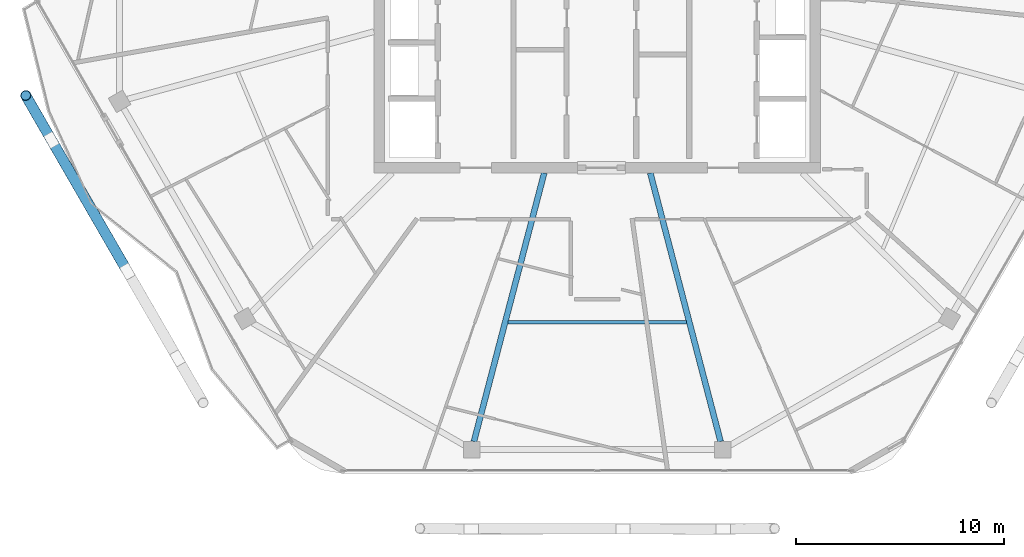
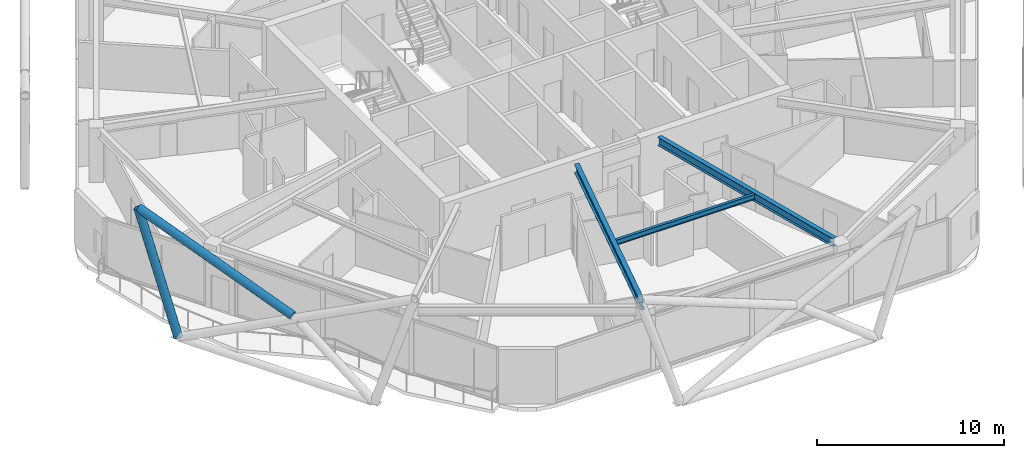
# One storey, part 5 of 24: 3 beams, 2 members.
"""IFC4 building model written with IfcOpenShell, lengths in metres."""

import ifcopenshell
import ifcopenshell.guid

model = None  # the IFC model being written
_history = None  # IfcOwnerHistory: only IFC2X3 demands one
_inside = {}  # id of a spatial element -> (the spatial element, [elements in it])
_under = {}  # id of a project, library or spatial element -> (it, [spatial elements below it])
_declared = {}  # id of a project -> (the project, [libraries it declares])
_typed = {}  # id of a type object -> (the type object, [elements of that type])
_made_of = {}  # id of a material, layer set ... -> (it, [elements and type objects made of it])


def new_model(schema):
    """Start an empty IFC model of exactly this schema.

    Asked for "IFC4X3", IfcOpenShell would pick the latest addendum, in which some entities
    have other attributes; the version numbers below select the first issue.
    IFC2X3 requires an IfcOwnerHistory on every rooted entity: one is made here for all.
    """
    global model, _history
    if schema == "IFC4X3":
        model = ifcopenshell.file(schema_version=(4, 3, 0, 0))
    else:
        model = ifcopenshell.file(schema=schema)
    _inside.clear()
    _under.clear()
    _declared.clear()
    _typed.clear()
    _made_of.clear()
    _history = None
    if model.schema == "IFC2X3":
        org = make("IfcOrganization", Name="unknown")
        user = make(
            "IfcPersonAndOrganization",
            ThePerson=make("IfcPerson", FamilyName="unknown"),
            TheOrganization=org,
        )
        app = make(
            "IfcApplication",
            ApplicationDeveloper=org,
            Version="unknown",
            ApplicationFullName="unknown",
            ApplicationIdentifier="unknown",
        )
        _history = make(
            "IfcOwnerHistory",
            OwningUser=user,
            OwningApplication=app,
            ChangeAction="ADDED",
            CreationDate=0,
        )
    return model


def make(cls, **values):
    """One entity of the class cls with the attributes given. An attribute that is None is left unset."""
    return model.create_entity(
        cls, **{name: value for name, value in values.items() if value is not None}
    )


def rooted(cls, **values):
    """An entity with a GlobalId (a new one), such as an element, a storey or a relation."""
    return make(cls, GlobalId=ifcopenshell.guid.new(), OwnerHistory=_history, **values)


def si_unit(unit_type, name, prefix=None):
    """IfcSIUnit, for example si_unit("LENGTHUNIT", "METRE", prefix="MILLI")."""
    return make("IfcSIUnit", UnitType=unit_type, Prefix=prefix, Name=name)


def assignment(units):
    """IfcUnitAssignment: the units of a project."""
    return None if units is None else make("IfcUnitAssignment", Units=units)


def point(xyz):
    """IfcCartesianPoint."""
    return None if xyz is None else make("IfcCartesianPoint", Coordinates=xyz)


def direction(xyz):
    """IfcDirection."""
    return None if xyz is None else make("IfcDirection", DirectionRatios=xyz)


def frame(location, z_axis=None, x_axis=None):
    """IfcAxis2Placement3D, a coordinate frame: its origin and axes. An axis left out is left unset."""
    return make(
        "IfcAxis2Placement3D",
        Location=point(location),
        Axis=direction(z_axis),
        RefDirection=direction(x_axis),
    )


def frame_2d(location, x_axis=None):
    """IfcAxis2Placement2D, a coordinate frame in the plane: its origin and x axis."""
    return make(
        "IfcAxis2Placement2D", Location=point(location), RefDirection=direction(x_axis)
    )


def origin():
    """The frame at (0, 0, 0) with its axes left unset."""
    return frame((0.0, 0.0, 0.0))


def origin_2d():
    """The frame at (0, 0) in the plane with its x axis left unset."""
    return frame_2d((0.0, 0.0))


def place(relative_to, where):
    """IfcLocalPlacement: puts the frame where relative to a parent placement (None: the world)."""
    return make(
        "IfcLocalPlacement", PlacementRelTo=relative_to, RelativePlacement=where
    )


def context(
    kind, dimensions, precision=None, world=None, true_north=None, identifier=None
):
    """IfcGeometricRepresentationContext, for example the 3D "Model" context."""
    return make(
        "IfcGeometricRepresentationContext",
        ContextIdentifier=identifier,
        ContextType=kind,
        CoordinateSpaceDimension=dimensions,
        Precision=precision,
        WorldCoordinateSystem=world,
        TrueNorth=true_north,
    )


def subcontext(parent, identifier, kind, view, scale=None):
    """IfcGeometricRepresentationSubContext, for example "Body" below "Model"."""
    return make(
        "IfcGeometricRepresentationSubContext",
        ContextIdentifier=identifier,
        ContextType=kind,
        ParentContext=parent,
        TargetScale=scale,
        TargetView=view,
    )


def project(units=None, contexts=None):
    """IfcProject with its units and contexts."""
    return rooted(
        "IfcProject",
        Name="project",
        RepresentationContexts=contexts,
        UnitsInContext=assignment(units),
    )


def spatial(cls, under=None, at=None, **own):
    """A site, building, storey or space (cls), placed at a placement, below another one or the project."""
    s = rooted(cls, ObjectPlacement=at, **own)
    if under is not None:
        _under.setdefault(under.id(), (under, []))[1].append(s)
    return s


def profile(cls, at=None, kind="AREA", **sizes):
    """A parametric profile (cls). Its sizes go by their IFC names, for example OverallWidth=200.0."""
    return make(cls, ProfileType=kind, Position=at, **sizes)


def hollow_circle(**sizes):
    """IfcCircleHollowProfileDef."""
    return profile("IfcCircleHollowProfileDef", **sizes)


def i_section(**sizes):
    """IfcIShapeProfileDef."""
    return profile("IfcIShapeProfileDef", **sizes)


def extrude(swept, where, along, depth):
    """IfcExtrudedAreaSolid: the profile swept, set in the frame where, extruded along a direction by depth."""
    return make(
        "IfcExtrudedAreaSolid",
        SweptArea=swept,
        Position=where,
        ExtrudedDirection=direction(along),
        Depth=depth,
    )


def shape(context_of_items, identifier, shape_type, items):
    """IfcShapeRepresentation: the items that make up one representation, for example the "Body"."""
    return make(
        "IfcShapeRepresentation",
        ContextOfItems=context_of_items,
        RepresentationIdentifier=identifier,
        RepresentationType=shape_type,
        Items=items,
    )


def material(Name=None, Category=None):
    """IfcMaterial."""
    return make("IfcMaterial", Name=Name, Category=Category)


def material_profile(
    of_material, cross_section, Name=None, Category=None, Priority=None
):
    """IfcMaterialProfile: a cross section and its material."""
    return make(
        "IfcMaterialProfile",
        Name=Name,
        Material=of_material,
        Profile=cross_section,
        Priority=Priority,
        Category=Category,
    )


def profile_set(profiles, Name=None, composite=None):
    """IfcMaterialProfileSet."""
    return make(
        "IfcMaterialProfileSet",
        Name=Name,
        MaterialProfiles=profiles,
        CompositeProfile=composite,
    )


def made_of(thing, what):
    """Note that an element or type object is made of a material, layer set ...; save() writes the relation."""
    if what is not None:
        _made_of.setdefault(what.id(), (what, []))[1].append(thing)
    return thing


def type_object(cls, material=None, **own):
    """A type object (cls), such as IfcWallType, which elements share."""
    return made_of(rooted(cls, **own), material)


def element(
    cls,
    number,
    at=None,
    inside=None,
    cuts=None,
    type_object=None,
    material=None,
    context=None,
    identifier="Body",
    shape_type=None,
    held_by="IfcProductDefinitionShape",
    body=None,
    shapes=None,
    **own,
):
    """One element of the class cls, such as IfcWall. Its Tag is "e" and its number.

    at: its placement. inside: the storey or other place that contains it. cuts: it is an
    opening in that element (IfcRelVoidsElement). A single representation is given by context,
    identifier, shape_type and body (its items); several are given by shapes. held_by: the class
    of the entity that holds the representations. save() writes the other relations.
    """
    e = rooted(cls, Tag="e%d" % number, ObjectPlacement=at, **own)
    if body is not None:
        shapes = [shape(context, identifier, shape_type, body)]
    if shapes is not None:
        e.Representation = make(held_by, Representations=shapes)
    if inside is not None:
        _inside.setdefault(inside.id(), (inside, []))[1].append(e)
    if cuts is not None:
        rooted(
            "IfcRelVoidsElement", RelatingBuildingElement=cuts, RelatedOpeningElement=e
        )
    if type_object is not None:
        _typed.setdefault(type_object.id(), (type_object, []))[1].append(e)
    return made_of(e, material)


def aggregate(whole, parts):
    """IfcRelAggregates: a whole, such as a stair, and the parts it consists of."""
    return rooted("IfcRelAggregates", RelatingObject=whole, RelatedObjects=parts)


def save(model, path):
    """Write the relations noted so far, then the file.

    IfcRelAggregates (storeys below a building ...), IfcRelContainedInSpatialStructure (elements
    in a storey), IfcRelDefinesByType, IfcRelAssociatesMaterial and IfcRelDeclares: one each for
    every whole, place, type object, material and project.
    """
    for whole, parts in _under.values():
        aggregate(whole, parts)
    for where, things in _inside.values():
        rooted(
            "IfcRelContainedInSpatialStructure",
            RelatedElements=things,
            RelatingStructure=where,
        )
    for kind, things in _typed.values():
        rooted("IfcRelDefinesByType", RelatedObjects=things, RelatingType=kind)
    for what, things in _made_of.values():
        rooted("IfcRelAssociatesMaterial", RelatedObjects=things, RelatingMaterial=what)
    for by, libraries in _declared.values():
        rooted("IfcRelDeclares", RelatingContext=by, RelatedDefinitions=libraries)
    model.write(path)


model = new_model("IFC4")

# Units and contexts
model_context = context("Model", 3, precision=1e-05, world=origin(), true_north=direction((0.0, 1.0)))
body_context = subcontext(model_context, "Body", "Model", "MODEL_VIEW")
ifc_project = project(units=[si_unit("LENGTHUNIT", "METRE"), si_unit("AREAUNIT", "SQUARE_METRE"), si_unit("VOLUMEUNIT", "CUBIC_METRE"), si_unit("PLANEANGLEUNIT", "RADIAN"), si_unit("MASSUNIT", "GRAM", prefix="KILO")], contexts=[model_context])

# Site, building, storey
site_placement = place(None, origin())
site = spatial("IfcSite", under=ifc_project, at=site_placement, CompositionType="ELEMENT")
building_placement = place(site_placement, origin())
building = spatial("IfcBuilding", under=site, at=building_placement, Name="Zuhravey Tower", CompositionType="ELEMENT")
storey_placement = place(building_placement, frame((0.0, 0.0, 308.199951171875)))
storey = spatial("IfcBuildingStorey", under=building, at=storey_placement, Name="L78", CompositionType="ELEMENT", Elevation=308.199951171875)

# Members
ifc_material = material(Name="Steel SM355", Category="steel")
ifc_material_profile_1 = material_profile(ifc_material, hollow_circle(Radius=0.25390625, WallThickness=0.02490234375, at=origin_2d()), Name="CHS-508.0x25")
ifc_profile_set_1 = profile_set([ifc_material_profile_1], Name="Steel SM355")
member_type = type_object("IfcMemberType", Name="Exoskeleton Zone 4 Diagrid CHS508x25", PredefinedType="BRACE", material=ifc_profile_set_1)
member_1_placement = place(storey_placement, frame((9.724853515625, 23.842041015625, -0.447998046875), z_axis=(-0.155227725192, 0.268842644559, 0.950593491351), x_axis=(-0.866009569118, -0.500027425445, 0.0)))
element("IfcMember", 1, at=member_1_placement, inside=storey, type_object=member_type, Name="L78 Face 4 Diagrid Brace 1", PredefinedType="BRACE", context=body_context, shape_type="SweptSolid", body=[
    extrude(hollow_circle(Radius=0.25390625, WallThickness=0.02490234375, at=origin_2d()), origin(), (0.0, 0.0, 1.0), 7.96142578125),
])
member_2_placement = place(storey_placement, frame((13.267822265625, 17.705078125, 3.42431640625), z_axis=(-0.466120096099, 0.80734608376, 0.36183470957), x_axis=(-0.866026046022, -0.49999888761, 0.0)))
element("IfcMember", 2, at=member_2_placement, inside=storey, type_object=member_type, Name="L78 Face 4 Split Diagrid Brace 3B", PredefinedType="BRACE", context=body_context, shape_type="SweptSolid", body=[
    extrude(hollow_circle(Radius=0.25390625, WallThickness=0.02490234375, at=origin_2d()), origin(), (0.0, 0.0, 1.0), 10.223388671875),
])

# Beams
ifc_material_profile_2 = material_profile(ifc_material, i_section(OverallWidth=0.280029296875, OverallDepth=0.550048828125, WebThickness=0.010986328125, FlangeThickness=0.01806640625, at=origin_2d()), Name="H-550x280x11x18")
ifc_profile_set_2 = profile_set([ifc_material_profile_2], Name="Steel SM355")
beam_type_1 = type_object("IfcBeamType", Name="Radial Primary Girder H550x280", PredefinedType="BEAM", material=ifc_profile_set_2)
for number, where, z_axis, x_axis, name in (
    (3, (33.446533203125, 22.2470703125, 3.275146484375), (-0.253281197106, -0.967392699576, 0.0), (0.967392699576, -0.253281197106, 0.0), "L78 RG4 BM-L78-RAD-09"),
    (4, (38.553466796875, 22.2470703125, 3.275146484375), (0.253281197106, -0.967392699576, 0.0), (0.967392699576, 0.253281197106, 0.0), "L78 RG4 BM-L78-RAD-10"),
):
    element("IfcBeam", number, at=place(storey_placement, frame(where, z_axis=z_axis, x_axis=x_axis)), inside=storey, type_object=beam_type_1, Name=name, PredefinedType="BEAM", context=body_context, shape_type="SweptSolid", body=[
        extrude(i_section(OverallWidth=0.280029296875, OverallDepth=0.550048828125, WebThickness=0.010986328125, FlangeThickness=0.01806640625, at=origin_2d()), origin(), (0.0, 0.0, 1.0), 13.35693359375),
    ])
ifc_material_profile_3 = material_profile(ifc_material, i_section(OverallWidth=0.175048828125, OverallDepth=0.35009765625, WebThickness=0.007080078125, FlangeThickness=0.010986328125, at=origin_2d()), Name="H-350x175x7x11")
ifc_profile_set_3 = profile_set([ifc_material_profile_3], Name="Steel SM355")
beam_type_2 = type_object("IfcBeamType", Name="Secondary Floor Joist H350x175", PredefinedType="JOIST", material=ifc_profile_set_3)
beam_placement = place(storey_placement, frame((31.70849609375, 15.05908203125, 3.375), z_axis=(1.0, 0.0, 0.0), x_axis=(0.0, 1.0, 0.0)))
element("IfcBeam", 5, at=beam_placement, inside=storey, type_object=beam_type_2, Name="L78 SJ3 BM-L78-SJ-09-1", PredefinedType="JOIST", context=body_context, shape_type="SweptSolid", body=[
    extrude(i_section(OverallWidth=0.175048828125, OverallDepth=0.35009765625, WebThickness=0.007080078125, FlangeThickness=0.010986328125, at=origin_2d()), origin(), (0.0, 0.0, 1.0), 8.5830078125),
])

save(model, "model.ifc")
